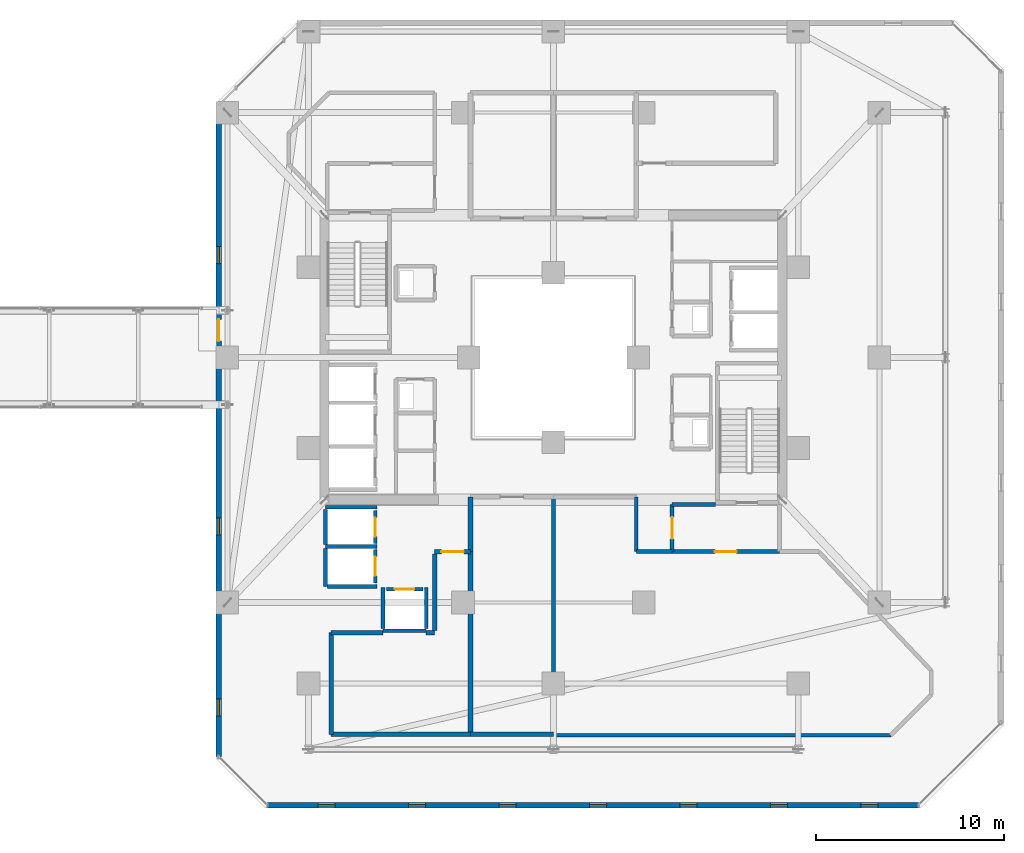
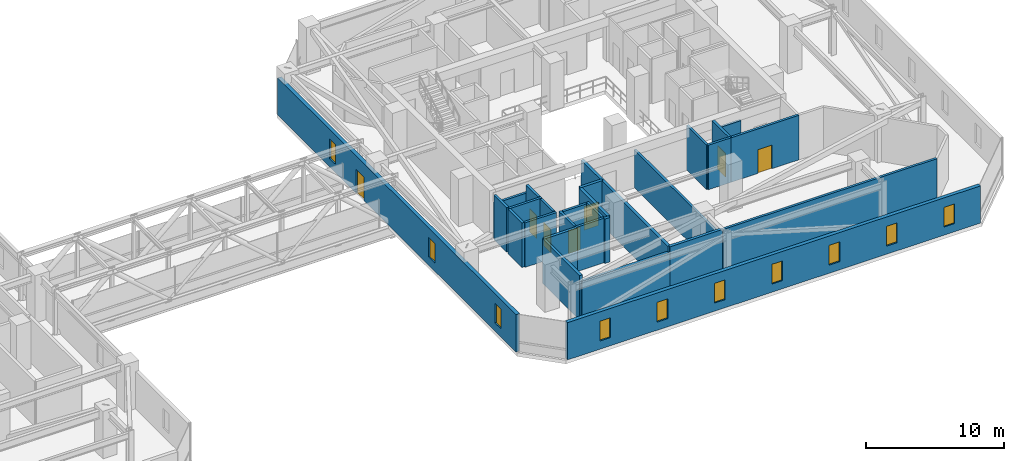
# One storey, part 39 of 45: 29 walls, 10 windows, 7 doors, 17 openings.
"""IFC4 building model written with IfcOpenShell, lengths in metres."""

import ifcopenshell
import ifcopenshell.guid

model = None  # the IFC model being written
_history = None  # IfcOwnerHistory: only IFC2X3 demands one
_inside = {}  # id of a spatial element -> (the spatial element, [elements in it])
_under = {}  # id of a project, library or spatial element -> (it, [spatial elements below it])
_declared = {}  # id of a project -> (the project, [libraries it declares])
_typed = {}  # id of a type object -> (the type object, [elements of that type])
_made_of = {}  # id of a material, layer set ... -> (it, [elements and type objects made of it])


def new_model(schema):
    """Start an empty IFC model of exactly this schema.

    Asked for "IFC4X3", IfcOpenShell would pick the latest addendum, in which some entities
    have other attributes; the version numbers below select the first issue.
    IFC2X3 requires an IfcOwnerHistory on every rooted entity: one is made here for all.
    """
    global model, _history
    if schema == "IFC4X3":
        model = ifcopenshell.file(schema_version=(4, 3, 0, 0))
    else:
        model = ifcopenshell.file(schema=schema)
    _inside.clear()
    _under.clear()
    _declared.clear()
    _typed.clear()
    _made_of.clear()
    _history = None
    if model.schema == "IFC2X3":
        org = make("IfcOrganization", Name="unknown")
        user = make(
            "IfcPersonAndOrganization",
            ThePerson=make("IfcPerson", FamilyName="unknown"),
            TheOrganization=org,
        )
        app = make(
            "IfcApplication",
            ApplicationDeveloper=org,
            Version="unknown",
            ApplicationFullName="unknown",
            ApplicationIdentifier="unknown",
        )
        _history = make(
            "IfcOwnerHistory",
            OwningUser=user,
            OwningApplication=app,
            ChangeAction="ADDED",
            CreationDate=0,
        )
    return model


def make(cls, **values):
    """One entity of the class cls with the attributes given. An attribute that is None is left unset."""
    return model.create_entity(
        cls, **{name: value for name, value in values.items() if value is not None}
    )


def rooted(cls, **values):
    """An entity with a GlobalId (a new one), such as an element, a storey or a relation."""
    return make(cls, GlobalId=ifcopenshell.guid.new(), OwnerHistory=_history, **values)


def si_unit(unit_type, name, prefix=None):
    """IfcSIUnit, for example si_unit("LENGTHUNIT", "METRE", prefix="MILLI")."""
    return make("IfcSIUnit", UnitType=unit_type, Prefix=prefix, Name=name)


def assignment(units):
    """IfcUnitAssignment: the units of a project."""
    return None if units is None else make("IfcUnitAssignment", Units=units)


def point(xyz):
    """IfcCartesianPoint."""
    return None if xyz is None else make("IfcCartesianPoint", Coordinates=xyz)


def direction(xyz):
    """IfcDirection."""
    return None if xyz is None else make("IfcDirection", DirectionRatios=xyz)


def frame(location, z_axis=None, x_axis=None):
    """IfcAxis2Placement3D, a coordinate frame: its origin and axes. An axis left out is left unset."""
    return make(
        "IfcAxis2Placement3D",
        Location=point(location),
        Axis=direction(z_axis),
        RefDirection=direction(x_axis),
    )


def frame_2d(location, x_axis=None):
    """IfcAxis2Placement2D, a coordinate frame in the plane: its origin and x axis."""
    return make(
        "IfcAxis2Placement2D", Location=point(location), RefDirection=direction(x_axis)
    )


def origin():
    """The frame at (0, 0, 0) with its axes left unset."""
    return frame((0.0, 0.0, 0.0))


def place(relative_to, where):
    """IfcLocalPlacement: puts the frame where relative to a parent placement (None: the world)."""
    return make(
        "IfcLocalPlacement", PlacementRelTo=relative_to, RelativePlacement=where
    )


def context(
    kind, dimensions, precision=None, world=None, true_north=None, identifier=None
):
    """IfcGeometricRepresentationContext, for example the 3D "Model" context."""
    return make(
        "IfcGeometricRepresentationContext",
        ContextIdentifier=identifier,
        ContextType=kind,
        CoordinateSpaceDimension=dimensions,
        Precision=precision,
        WorldCoordinateSystem=world,
        TrueNorth=true_north,
    )


def subcontext(parent, identifier, kind, view, scale=None):
    """IfcGeometricRepresentationSubContext, for example "Body" below "Model"."""
    return make(
        "IfcGeometricRepresentationSubContext",
        ContextIdentifier=identifier,
        ContextType=kind,
        ParentContext=parent,
        TargetScale=scale,
        TargetView=view,
    )


def project(units=None, contexts=None):
    """IfcProject with its units and contexts."""
    return rooted(
        "IfcProject",
        Name="project",
        RepresentationContexts=contexts,
        UnitsInContext=assignment(units),
    )


def spatial(cls, under=None, at=None, **own):
    """A site, building, storey or space (cls), placed at a placement, below another one or the project."""
    s = rooted(cls, ObjectPlacement=at, **own)
    if under is not None:
        _under.setdefault(under.id(), (under, []))[1].append(s)
    return s


def profile(cls, at=None, kind="AREA", **sizes):
    """A parametric profile (cls). Its sizes go by their IFC names, for example OverallWidth=200.0."""
    return make(cls, ProfileType=kind, Position=at, **sizes)


def rectangle(**sizes):
    """IfcRectangleProfileDef."""
    return profile("IfcRectangleProfileDef", **sizes)


def extrude(swept, where, along, depth):
    """IfcExtrudedAreaSolid: the profile swept, set in the frame where, extruded along a direction by depth."""
    return make(
        "IfcExtrudedAreaSolid",
        SweptArea=swept,
        Position=where,
        ExtrudedDirection=direction(along),
        Depth=depth,
    )


def shape(context_of_items, identifier, shape_type, items):
    """IfcShapeRepresentation: the items that make up one representation, for example the "Body"."""
    return make(
        "IfcShapeRepresentation",
        ContextOfItems=context_of_items,
        RepresentationIdentifier=identifier,
        RepresentationType=shape_type,
        Items=items,
    )


def material(Name=None, Category=None):
    """IfcMaterial."""
    return make("IfcMaterial", Name=Name, Category=Category)


def layer(
    of_material, thickness, ventilated=None, Name=None, Category=None, Priority=None
):
    """IfcMaterialLayer: one layer of a wall or slab, of a material (None: an air gap)."""
    return make(
        "IfcMaterialLayer",
        Material=of_material,
        LayerThickness=thickness,
        IsVentilated=ventilated,
        Name=Name,
        Category=Category,
        Priority=Priority,
    )


def layer_set(layers, Name=None):
    """IfcMaterialLayerSet."""
    return make("IfcMaterialLayerSet", MaterialLayers=layers, LayerSetName=Name)


def made_of(thing, what):
    """Note that an element or type object is made of a material, layer set ...; save() writes the relation."""
    if what is not None:
        _made_of.setdefault(what.id(), (what, []))[1].append(thing)
    return thing


def type_object(cls, material=None, **own):
    """A type object (cls), such as IfcWallType, which elements share."""
    return made_of(rooted(cls, **own), material)


def element(
    cls,
    number,
    at=None,
    inside=None,
    cuts=None,
    type_object=None,
    material=None,
    context=None,
    identifier="Body",
    shape_type=None,
    held_by="IfcProductDefinitionShape",
    body=None,
    shapes=None,
    **own,
):
    """One element of the class cls, such as IfcWall. Its Tag is "e" and its number.

    at: its placement. inside: the storey or other place that contains it. cuts: it is an
    opening in that element (IfcRelVoidsElement). A single representation is given by context,
    identifier, shape_type and body (its items); several are given by shapes. held_by: the class
    of the entity that holds the representations. save() writes the other relations.
    """
    e = rooted(cls, Tag="e%d" % number, ObjectPlacement=at, **own)
    if body is not None:
        shapes = [shape(context, identifier, shape_type, body)]
    if shapes is not None:
        e.Representation = make(held_by, Representations=shapes)
    if inside is not None:
        _inside.setdefault(inside.id(), (inside, []))[1].append(e)
    if cuts is not None:
        rooted(
            "IfcRelVoidsElement", RelatingBuildingElement=cuts, RelatedOpeningElement=e
        )
    if type_object is not None:
        _typed.setdefault(type_object.id(), (type_object, []))[1].append(e)
    return made_of(e, material)


def fill(opening, filler):
    """IfcRelFillsElement: the door or window that sits in an opening."""
    return rooted(
        "IfcRelFillsElement",
        RelatingOpeningElement=opening,
        RelatedBuildingElement=filler,
    )


def aggregate(whole, parts):
    """IfcRelAggregates: a whole, such as a stair, and the parts it consists of."""
    return rooted("IfcRelAggregates", RelatingObject=whole, RelatedObjects=parts)


def save(model, path):
    """Write the relations noted so far, then the file.

    IfcRelAggregates (storeys below a building ...), IfcRelContainedInSpatialStructure (elements
    in a storey), IfcRelDefinesByType, IfcRelAssociatesMaterial and IfcRelDeclares: one each for
    every whole, place, type object, material and project.
    """
    for whole, parts in _under.values():
        aggregate(whole, parts)
    for where, things in _inside.values():
        rooted(
            "IfcRelContainedInSpatialStructure",
            RelatedElements=things,
            RelatingStructure=where,
        )
    for kind, things in _typed.values():
        rooted("IfcRelDefinesByType", RelatedObjects=things, RelatingType=kind)
    for what, things in _made_of.values():
        rooted("IfcRelAssociatesMaterial", RelatedObjects=things, RelatingMaterial=what)
    for by, libraries in _declared.values():
        rooted("IfcRelDeclares", RelatingContext=by, RelatedDefinitions=libraries)
    model.write(path)


model = new_model("IFC4")

# Units and contexts
model_context = context("Model", 3, precision=1e-05, world=origin(), true_north=direction((0.0, 1.0)))
body_context = subcontext(model_context, "Body", "Model", "MODEL_VIEW")
ifc_project = project(units=[si_unit("LENGTHUNIT", "METRE"), si_unit("AREAUNIT", "SQUARE_METRE"), si_unit("VOLUMEUNIT", "CUBIC_METRE"), si_unit("PLANEANGLEUNIT", "RADIAN"), si_unit("MASSUNIT", "GRAM", prefix="KILO")], contexts=[model_context])

# Site, building, storey
site_placement = place(None, origin())
site = spatial("IfcSite", under=ifc_project, at=site_placement, CompositionType="ELEMENT")
building_placement = place(site_placement, origin())
building = spatial("IfcBuilding", under=site, at=building_placement, Name="Thornwick Lancets Civic Towers", CompositionType="ELEMENT")
storey_placement = place(building_placement, frame((0.0, 0.0, 141.300048828125)))
storey = spatial("IfcBuildingStorey", under=building, at=storey_placement, Name="L37", CompositionType="ELEMENT", Elevation=141.300048828125)

# Wall, opening, door
ifc_material_1 = material(Name="Concrete blockwork C40/50", Category="masonry")
ifc_layer_1 = layer(ifc_material_1, 0.199951171875, Name="Concrete blockwork C40/50")
ifc_layer_set_1 = layer_set([ifc_layer_1], Name="Concrete blockwork C40/50")
wall_type_1 = type_object("IfcWallType", Name="WALL_COMP_200", PredefinedType="STANDARD", material=ifc_layer_set_1)
wall_1_placement = place(storey_placement, frame((79.050048828125, 17.1298828125, 0.0), z_axis=(0.0, 0.0, 1.0), x_axis=(0.0, 1.0, 0.0)))
wall_1 = element("IfcWall", 1, at=wall_1_placement, inside=storey, type_object=wall_type_1, Name="L37 Hoistway Front Wall PL-BM1", PredefinedType="STANDARD", context=body_context, shape_type="SweptSolid", body=[
    extrude(rectangle(XDim=1.740234375, YDim=0.199951171875, at=frame_2d((0.8701171875, 0.0))), origin(), (0.0, 0.0, 1.0), 3.93994140625),
])
opening_1_placement = place(wall_1_placement, frame((0.360107421875, 0.0, 0.0)))
opening_1 = element("IfcOpeningElement", 2, at=opening_1_placement, cuts=wall_1, Name="Opening LD-PL-BM1", PredefinedType="OPENING", context=body_context, shape_type="SweptSolid", body=[
    extrude(rectangle(XDim=1.02001953125, YDim=2.06005859375, at=frame_2d((0.510009765625, 1.030029296875))), frame((0.0, 0.10986328125, 0.0), z_axis=(0.0, -1.0, 0.0), x_axis=(1.0, 0.0, 0.0)), (0.0, 0.0, 1.0), 0.219970703125),
])
ifc_material_2 = material(Name="Brushed bronze stainless steel", Category="steel")
door_type_1 = type_object("IfcDoorType", Name="DOOR_LIFT_SLIDE", OperationType="SLIDING_TO_LEFT", PredefinedType="DOOR", material=ifc_material_2)
door_1_placement = place(opening_1_placement, origin())
door_1 = element("IfcDoor", 3, at=door_1_placement, inside=storey, type_object=door_type_1, Name="L37 Sliding Lift Landing Door LD-PL-BM1", OperationType="SLIDING_TO_LEFT", OverallHeight=2.06005859375, OverallWidth=1.02001953125, PredefinedType="DOOR", context=body_context, shape_type="SweptSolid", body=[
    extrude(rectangle(XDim=1.02001953125, YDim=2.06005859375, at=frame_2d((0.510009765625, 1.030029296875))), frame((0.0, 0.02490234375, 0.0), z_axis=(0.0, -1.0, 0.0), x_axis=(1.0, 0.0, 0.0)), (0.0, 0.0, 1.0), 0.050048828125),
])
fill(opening_1, door_1)

wall_2_placement = place(storey_placement, frame((79.050048828125, 15.030029296875, 0.0), z_axis=(0.0, 0.0, 1.0), x_axis=(0.0, 1.0, 0.0)))
wall_2 = element("IfcWall", 4, at=wall_2_placement, inside=storey, type_object=wall_type_1, Name="L37 Hoistway Front Wall PL-BM2", PredefinedType="STANDARD", context=body_context, shape_type="SweptSolid", body=[
    extrude(rectangle(XDim=1.7900390625, YDim=0.199951171875, at=frame_2d((0.89501953125, 0.0))), origin(), (0.0, 0.0, 1.0), 3.93994140625),
])
opening_2_placement = place(wall_2_placement, frame((0.385009765625, 0.0, 0.0)))
opening_2 = element("IfcOpeningElement", 5, at=opening_2_placement, cuts=wall_2, Name="Opening LD-PL-BM2", PredefinedType="OPENING", context=body_context, shape_type="SweptSolid", body=[
    extrude(rectangle(XDim=1.02001953125, YDim=2.06005859375, at=frame_2d((0.510009765625, 1.030029296875))), frame((0.0, 0.10986328125, 0.0), z_axis=(0.0, -1.0, 0.0), x_axis=(1.0, 0.0, 0.0)), (0.0, 0.0, 1.0), 0.219970703125),
])
door_2_placement = place(opening_2_placement, origin())
door_2 = element("IfcDoor", 6, at=door_2_placement, inside=storey, type_object=door_type_1, Name="L37 Sliding Lift Landing Door LD-PL-BM2", OperationType="SLIDING_TO_LEFT", OverallHeight=2.06005859375, OverallWidth=1.02001953125, PredefinedType="DOOR", context=body_context, shape_type="SweptSolid", body=[
    extrude(rectangle(XDim=1.02001953125, YDim=2.06005859375, at=frame_2d((0.510009765625, 1.030029296875))), frame((0.0, 0.02490234375, 0.0), z_axis=(0.0, -1.0, 0.0), x_axis=(1.0, 0.0, 0.0)), (0.0, 0.0, 1.0), 0.050048828125),
])
fill(opening_2, door_2)

wall_3_placement = place(storey_placement, frame((79.6298828125, 14.699951171875, 0.0), z_axis=(0.0, 0.0, 1.0), x_axis=(1.0, 0.0, 0.0)))
wall_3 = element("IfcWall", 7, at=wall_3_placement, inside=storey, type_object=wall_type_1, Name="L37 Hoistway Front Wall PL-BM3", PredefinedType="STANDARD", context=body_context, shape_type="SweptSolid", body=[
    extrude(rectangle(XDim=1.940185546875, YDim=0.199951171875, at=frame_2d((0.97021484375, 0.0))), origin(), (0.0, 0.0, 1.0), 3.93994140625),
])
opening_3_placement = place(wall_3_placement, frame((0.4599609375, 0.0, 0.0)))
opening_3 = element("IfcOpeningElement", 8, at=opening_3_placement, cuts=wall_3, Name="Opening LD-PL-BM3", PredefinedType="OPENING", context=body_context, shape_type="SweptSolid", body=[
    extrude(rectangle(XDim=1.02001953125, YDim=2.06005859375, at=frame_2d((0.510009765625, 1.030029296875))), frame((0.0, 0.10986328125, 0.0), z_axis=(0.0, -1.0, 0.0), x_axis=(1.0, 0.0, 0.0)), (0.0, 0.0, 1.0), 0.219970703125),
])
door_3_placement = place(opening_3_placement, origin())
door_3 = element("IfcDoor", 9, at=door_3_placement, inside=storey, type_object=door_type_1, Name="L37 Sliding Lift Landing Door LD-PL-BM3", OperationType="SLIDING_TO_LEFT", OverallHeight=2.06005859375, OverallWidth=1.02001953125, PredefinedType="DOOR", context=body_context, shape_type="SweptSolid", body=[
    extrude(rectangle(XDim=1.02001953125, YDim=2.06005859375, at=frame_2d((0.510009765625, 1.030029296875))), frame((0.0, 0.02490234375, 0.0), z_axis=(0.0, -1.0, 0.0), x_axis=(1.0, 0.0, 0.0)), (0.0, 0.0, 1.0), 0.050048828125),
])
fill(opening_3, door_3)

# Walls
wall_4_placement = place(storey_placement, frame((76.402099609375, 19.050048828125, 0.0), z_axis=(0.0, 0.0, 1.0), x_axis=(1.0, 0.0, 0.0)))
element("IfcWall", 10, at=wall_4_placement, inside=storey, type_object=wall_type_1, Name="L37 Hoistway Shaft Wall PL-BM1 N", PredefinedType="STANDARD", context=body_context, shape_type="SweptSolid", body=[
    extrude(rectangle(XDim=2.745849609375, YDim=0.199951171875, at=frame_2d((1.373046875, 0.0))), origin(), (0.0, 0.0, 1.0), 3.14501953125),
])
wall_5_placement = place(storey_placement, frame((76.402099609375, 16.97509765625, 0.0), z_axis=(0.0, 0.0, 1.0), x_axis=(1.0, 0.0, 0.0)))
element("IfcWall", 11, at=wall_5_placement, inside=storey, type_object=wall_type_1, Name="L37 Hoistway Shaft Wall PL-BM1 S", PredefinedType="STANDARD", context=body_context, shape_type="SweptSolid", body=[
    extrude(rectangle(XDim=2.745849609375, YDim=0.199951171875, at=frame_2d((1.373046875, 0.0))), origin(), (0.0, 0.0, 1.0), 3.93994140625),
])
wall_6_placement = place(storey_placement, frame((76.39990234375, 14.85205078125, 0.0), z_axis=(0.0, 0.0, 1.0), x_axis=(0.0, 1.0, 0.0)))
element("IfcWall", 12, at=wall_6_placement, inside=storey, type_object=wall_type_1, Name="L37 Hoistway Shaft Wall PL-BM1 W", PredefinedType="STANDARD", context=body_context, shape_type="SweptSolid", body=[
    extrude(rectangle(XDim=2.015869140625, YDim=0.199951171875, at=frame_2d((1.0078125, 0.0))), origin(), (0.0, 0.0, 1.0), 3.93994140625),
])
wall_7_placement = place(storey_placement, frame((76.39990234375, 17.08203125, 0.0), z_axis=(0.0, 0.0, 1.0), x_axis=(0.0, 1.0, 0.0)))
element("IfcWall", 13, at=wall_7_placement, inside=storey, type_object=wall_type_1, Name="L37 Hoistway Shaft Wall PL-BM1 W", PredefinedType="STANDARD", context=body_context, shape_type="SweptSolid", body=[
    extrude(rectangle(XDim=1.85595703125, YDim=0.199951171875, at=frame_2d((0.927978515625, 0.0))), origin(), (0.0, 0.0, 1.0), 3.93994140625),
])
wall_8_placement = place(storey_placement, frame((76.511962890625, 14.85009765625, 0.0), z_axis=(0.0, 0.0, 1.0), x_axis=(1.0, 0.0, 0.0)))
element("IfcWall", 14, at=wall_8_placement, inside=storey, type_object=wall_type_1, Name="L37 Hoistway Shaft Wall PL-BM2 S", PredefinedType="STANDARD", context=body_context, shape_type="SweptSolid", body=[
    extrude(rectangle(XDim=2.635986328125, YDim=0.199951171875, at=frame_2d((1.31787109375, 0.0))), origin(), (0.0, 0.0, 1.0), 3.93994140625),
])
wall_9_placement = place(storey_placement, frame((79.451904296875, 12.5, 0.0), z_axis=(0.0, 0.0, 1.0), x_axis=(1.0, 0.0, 0.0)))
element("IfcWall", 15, at=wall_9_placement, inside=storey, type_object=wall_type_1, Name="L37 Hoistway Shaft Wall PL-BM3 S", PredefinedType="STANDARD", context=body_context, shape_type="SweptSolid", body=[
    extrude(rectangle(XDim=2.296142578125, YDim=0.199951171875, at=frame_2d((1.14794921875, 0.0))), origin(), (0.0, 0.0, 1.0), 3.93994140625),
])
for number, where, z_axis, x_axis, name in (
    (16, (81.75, 12.612060546875, 0.0), (0.0, 0.0, 1.0), (0.0, 1.0, 0.0), "L37 Hoistway Shaft Wall PL-BM3 E"),
    (17, (79.449951171875, 12.612060546875, 0.0), (0.0, 0.0, 1.0), (0.0, 1.0, 0.0), "L37 Hoistway Shaft Wall PL-BM3 W"),
):
    element("IfcWall", number, at=place(storey_placement, frame(where, z_axis=z_axis, x_axis=x_axis)), inside=storey, type_object=wall_type_1, Name=name, PredefinedType="STANDARD", context=body_context, shape_type="SweptSolid", body=[
        extrude(rectangle(XDim=2.18603515625, YDim=0.199951171875, at=frame_2d((1.093017578125, 0.0))), origin(), (0.0, 0.0, 1.0), 3.93994140625),
    ])

# Wall, opening, door
wall_10_placement = place(storey_placement, frame((94.800048828125, 16.699951171875, 0.0), z_axis=(0.0, 0.0, 1.0), x_axis=(1.0, 0.0, 0.0)))
wall_10 = element("IfcWall", 18, at=wall_10_placement, inside=storey, type_object=wall_type_1, Name="L37 Partition L37-B-FFLOB1 E1", PredefinedType="STANDARD", context=body_context, shape_type="SweptSolid", body=[
    extrude(rectangle(XDim=5.699951171875, YDim=0.199951171875, at=frame_2d((2.85009765625, 0.0))), origin(), (0.0, 0.0, 1.0), 3.93994140625),
])
opening_4_placement = place(wall_10_placement, frame((2.27490234375, 0.0, 0.0)))
opening_4 = element("IfcOpeningElement", 19, at=opening_4_placement, cuts=wall_10, Name="Opening D-L37-1698", PredefinedType="OPENING", context=body_context, shape_type="SweptSolid", body=[
    extrude(rectangle(XDim=1.14990234375, YDim=2.10009765625, at=frame_2d((0.574951171875, 1.050048828125))), frame((0.0, 0.10986328125, 0.0), z_axis=(0.0, -1.0, 0.0), x_axis=(1.0, 0.0, 0.0)), (0.0, 0.0, 1.0), 0.219970703125),
])
ifc_material_3 = material(Name="Glazed fire-resisting steel", Category="steel")
door_type_2 = type_object("IfcDoorType", Name="DOOR_LOBBY_FD60", OperationType="NOTDEFINED", PredefinedType="DOOR", material=ifc_material_3)
door_4_placement = place(opening_4_placement, origin())
door_4 = element("IfcDoor", 20, at=door_4_placement, inside=storey, type_object=door_type_2, Name="L37 Tower B Refuge Holding Area 1 Door", OperationType="SINGLE_SWING_LEFT", OverallHeight=2.10009765625, OverallWidth=1.14990234375, PredefinedType="DOOR", context=body_context, shape_type="SweptSolid", body=[
    extrude(rectangle(XDim=1.14990234375, YDim=2.10009765625, at=frame_2d((0.574951171875, 1.050048828125))), frame((0.0, 0.02490234375, 0.0), z_axis=(0.0, -1.0, 0.0), x_axis=(1.0, 0.0, 0.0)), (0.0, 0.0, 1.0), 0.050048828125),
])
fill(opening_4, door_4)

# Wall
wall_11_placement = place(storey_placement, frame((97.10009765625, 19.199951171875, 0.0), z_axis=(0.0, 0.0, 1.0), x_axis=(-1.0, 0.0, 0.0)))
element("IfcWall", 21, at=wall_11_placement, inside=storey, type_object=wall_type_1, Name="L37 Partition L37-B-FFLOB1 E3", PredefinedType="STANDARD", context=body_context, shape_type="SweptSolid", body=[
    extrude(rectangle(XDim=2.300048828125, YDim=0.199951171875, at=frame_2d((1.14990234375, 0.0))), origin(), (0.0, 0.0, 1.0), 3.14501953125),
])

# Wall, opening, door
wall_12_placement = place(storey_placement, frame((94.800048828125, 19.199951171875, 0.0), z_axis=(0.0, 0.0, 1.0), x_axis=(0.0, -1.0, 0.0)))
wall_12 = element("IfcWall", 22, at=wall_12_placement, inside=storey, type_object=wall_type_1, Name="L37 Partition L37-B-FFLOB1 E4", PredefinedType="STANDARD", context=body_context, shape_type="SweptSolid", body=[
    extrude(rectangle(XDim=2.5, YDim=0.199951171875, at=frame_2d((1.25, 0.0))), origin(), (0.0, 0.0, 1.0), 3.93994140625),
])
opening_5_placement = place(wall_12_placement, frame((0.675048828125, 0.0, 0.0)))
opening_5 = element("IfcOpeningElement", 23, at=opening_5_placement, cuts=wall_12, Name="Opening D-L37-1678", PredefinedType="OPENING", context=body_context, shape_type="SweptSolid", body=[
    extrude(rectangle(XDim=1.14990234375, YDim=2.10009765625, at=frame_2d((0.574951171875, 1.050048828125))), frame((0.0, 0.10986328125, 0.0), z_axis=(0.0, -1.0, 0.0), x_axis=(1.0, 0.0, 0.0)), (0.0, 0.0, 1.0), 0.219970703125),
])
door_5_placement = place(opening_5_placement, origin())
door_5 = element("IfcDoor", 24, at=door_5_placement, inside=storey, type_object=door_type_2, Name="L37 East Firefighting Lobby 1 Door", OperationType="SINGLE_SWING_LEFT", OverallHeight=2.10009765625, OverallWidth=1.14990234375, PredefinedType="DOOR", context=body_context, shape_type="SweptSolid", body=[
    extrude(rectangle(XDim=1.14990234375, YDim=2.10009765625, at=frame_2d((0.574951171875, 1.050048828125))), frame((0.0, 0.02490234375, 0.0), z_axis=(0.0, -1.0, 0.0), x_axis=(1.0, 0.0, 0.0)), (0.0, 0.0, 1.0), 0.050048828125),
])
fill(opening_5, door_5)

# Walls
wall_13_placement = place(storey_placement, frame((92.89990234375, 19.60009765625, 0.0), z_axis=(0.0, 0.0, 1.0), x_axis=(0.0, -1.0, 0.0)))
element("IfcWall", 25, at=wall_13_placement, inside=storey, type_object=wall_type_1, Name="L37 Partition L37-B-REF1 E1", PredefinedType="STANDARD", context=body_context, shape_type="SweptSolid", body=[
    extrude(rectangle(XDim=2.900146484375, YDim=0.199951171875, at=frame_2d((1.4501953125, 0.0))), origin(), (0.0, 0.0, 1.0), 3.93994140625),
])
wall_14_placement = place(storey_placement, frame((92.89990234375, 16.699951171875, 0.0), z_axis=(0.0, 0.0, 1.0), x_axis=(1.0, 0.0, 0.0)))
element("IfcWall", 26, at=wall_14_placement, inside=storey, type_object=wall_type_1, Name="L37 Partition L37-B-REF1 E2", PredefinedType="STANDARD", context=body_context, shape_type="SweptSolid", body=[
    extrude(rectangle(XDim=1.900146484375, YDim=0.199951171875, at=frame_2d((0.9501953125, 0.0))), origin(), (0.0, 0.0, 1.0), 3.93994140625),
])
wall_15_placement = place(storey_placement, frame((106.4052734375, 6.949951171875, 0.0), z_axis=(0.0, 0.0, 1.0), x_axis=(-1.0, 0.0, 0.0)))
element("IfcWall", 27, at=wall_15_placement, inside=storey, type_object=wall_type_1, Name="L37 Partition L37-B-REF1 E8", PredefinedType="STANDARD", context=body_context, shape_type="SweptSolid", body=[
    extrude(rectangle(XDim=17.9052734375, YDim=0.199951171875, at=frame_2d((8.95263671875, 0.0))), origin(), (0.0, 0.0, 1.0), 3.93994140625),
])
wall_16_placement = place(storey_placement, frame((88.5, 6.949951171875, 0.0), z_axis=(0.0, 0.0, 1.0), x_axis=(0.0, 1.0, 0.0)))
element("IfcWall", 28, at=wall_16_placement, inside=storey, type_object=wall_type_1, Name="L37 Partition L37-B-REF1 E9", PredefinedType="STANDARD", context=body_context, shape_type="SweptSolid", body=[
    extrude(rectangle(XDim=12.650146484375, YDim=0.199951171875, at=frame_2d((6.3251953125, 0.0))), origin(), (0.0, 0.0, 1.0), 3.32470703125),
])
ifc_layer_2 = layer(ifc_material_1, 0.239990234375, Name="Concrete blockwork C40/50")
ifc_layer_set_2 = layer_set([ifc_layer_2], Name="Concrete blockwork C40/50")
wall_type_2 = type_object("IfcWallType", Name="WALL_COMP_240", PredefinedType="STANDARD", material=ifc_layer_set_2)
wall_17_placement = place(storey_placement, frame((84.10009765625, 16.699951171875, 0.0), z_axis=(0.0, 0.0, 1.0), x_axis=(0.0, 1.0, 0.0)))
element("IfcWall", 29, at=wall_17_placement, inside=storey, type_object=wall_type_2, Name="L37 Partition L37-B-PL-AHU E1", PredefinedType="STANDARD", context=body_context, shape_type="SweptSolid", body=[
    extrude(rectangle(XDim=2.900146484375, YDim=0.239990234375, at=frame_2d((1.4501953125, 0.0))), origin(), (0.0, 0.0, 1.0), 3.93994140625),
])
wall_18_placement = place(storey_placement, frame((88.5, 7.0, 0.0), z_axis=(0.0, 0.0, 1.0), x_axis=(-1.0, 0.0, 0.0)))
element("IfcWall", 30, at=wall_18_placement, inside=storey, type_object=wall_type_2, Name="L37 Partition L37-B-PL-AHU E4", PredefinedType="STANDARD", context=body_context, shape_type="SweptSolid", body=[
    extrude(rectangle(XDim=4.39990234375, YDim=0.239990234375, at=frame_2d((2.199951171875, 0.0))), origin(), (0.0, 0.0, 1.0), 3.93994140625),
])
wall_19_placement = place(storey_placement, frame((84.10009765625, 7.0, 0.0), z_axis=(0.0, 0.0, 1.0), x_axis=(0.0, 1.0, 0.0)))
element("IfcWall", 31, at=wall_19_placement, inside=storey, type_object=wall_type_2, Name="L37 Partition L37-B-PL-AHU E5", PredefinedType="STANDARD", context=body_context, shape_type="SweptSolid", body=[
    extrude(rectangle(XDim=9.699951171875, YDim=0.239990234375, at=frame_2d((4.85009765625, 0.0))), origin(), (0.0, 0.0, 1.0), 3.93994140625),
])
wall_20_placement = place(storey_placement, frame((76.699951171875, 12.39990234375, 0.0), z_axis=(0.0, 0.0, 1.0), x_axis=(1.0, 0.0, 0.0)))
element("IfcWall", 32, at=wall_20_placement, inside=storey, type_object=wall_type_2, Name="L37 Partition L37-B-PL-ELC E1", PredefinedType="STANDARD", context=body_context, shape_type="SweptSolid", body=[
    extrude(rectangle(XDim=2.751953125, YDim=0.239990234375, at=frame_2d((1.3759765625, 0.0))), origin(), (0.0, 0.0, 1.0), 3.93994140625),
])
wall_21_placement = place(storey_placement, frame((81.748046875, 12.39990234375, 0.0), z_axis=(0.0, 0.0, 1.0), x_axis=(1.0, 0.0, 0.0)))
element("IfcWall", 33, at=wall_21_placement, inside=storey, type_object=wall_type_2, Name="L37 Partition L37-B-PL-ELC E1", PredefinedType="STANDARD", context=body_context, shape_type="SweptSolid", body=[
    extrude(rectangle(XDim=0.451904296875, YDim=0.239990234375, at=frame_2d((0.22607421875, 0.0))), origin(), (0.0, 0.0, 1.0), 3.93994140625),
])
wall_22_placement = place(storey_placement, frame((82.199951171875, 12.52001953125, 0.0), z_axis=(0.0, 0.0, 1.0), x_axis=(0.0, 1.0, 0.0)))
element("IfcWall", 34, at=wall_22_placement, inside=storey, type_object=wall_type_2, Name="L37 Partition L37-B-PL-ELC E2", PredefinedType="STANDARD", context=body_context, shape_type="SweptSolid", body=[
    extrude(rectangle(XDim=4.06005859375, YDim=0.239990234375, at=frame_2d((2.030029296875, 0.0))), origin(), (0.0, 0.0, 1.0), 3.93994140625),
])

# Wall, opening, door
wall_23_placement = place(storey_placement, frame((82.199951171875, 16.699951171875, 0.0), z_axis=(0.0, 0.0, 1.0), x_axis=(1.0, 0.0, 0.0)))
wall_23 = element("IfcWall", 35, at=wall_23_placement, inside=storey, type_object=wall_type_2, Name="L37 Partition L37-B-PL-ELC E3", PredefinedType="STANDARD", context=body_context, shape_type="SweptSolid", body=[
    extrude(rectangle(XDim=1.900146484375, YDim=0.239990234375, at=frame_2d((0.9501953125, 0.0))), origin(), (0.0, 0.0, 1.0), 3.93994140625),
])
opening_6_placement = place(wall_23_placement, frame((0.35009765625, 0.0, 0.0)))
opening_6 = element("IfcOpeningElement", 36, at=opening_6_placement, cuts=wall_23, Name="Opening D-L37-1702", PredefinedType="OPENING", context=body_context, shape_type="SweptSolid", body=[
    extrude(rectangle(XDim=1.199951171875, YDim=2.10009765625, at=frame_2d((0.60009765625, 1.050048828125))), frame((0.0, 0.1298828125, 0.0), z_axis=(0.0, -1.0, 0.0), x_axis=(1.0, 0.0, 0.0)), (0.0, 0.0, 1.0), 0.260009765625),
])
ifc_material_4 = material(Name="Steel plant room doorset", Category="steel")
door_type_3 = type_object("IfcDoorType", Name="DOOR_PLANT_1200", OperationType="NOTDEFINED", PredefinedType="DOOR", material=ifc_material_4)
door_6_placement = place(opening_6_placement, origin())
door_6 = element("IfcDoor", 37, at=door_6_placement, inside=storey, type_object=door_type_3, Name="L37 Tower B LV Switchgear Room Door", OperationType="SINGLE_SWING_LEFT", OverallHeight=2.10009765625, OverallWidth=1.199951171875, PredefinedType="DOOR", context=body_context, shape_type="SweptSolid", body=[
    extrude(rectangle(XDim=1.199951171875, YDim=2.10009765625, at=frame_2d((0.60009765625, 1.050048828125))), frame((0.0, 0.02490234375, 0.0), z_axis=(0.0, -1.0, 0.0), x_axis=(1.0, 0.0, 0.0)), (0.0, 0.0, 1.0), 0.050048828125),
])
fill(opening_6, door_6)

# Walls
wall_24_placement = place(storey_placement, frame((84.10009765625, 7.0, 0.0), z_axis=(0.0, 0.0, 1.0), x_axis=(-1.0, 0.0, 0.0)))
element("IfcWall", 38, at=wall_24_placement, inside=storey, type_object=wall_type_2, Name="L37 Partition L37-B-PL-ELC E5", PredefinedType="STANDARD", context=body_context, shape_type="SweptSolid", body=[
    extrude(rectangle(XDim=7.400146484375, YDim=0.239990234375, at=frame_2d((3.7001953125, 0.0))), origin(), (0.0, 0.0, 1.0), 3.445068359375),
])
wall_25_placement = place(storey_placement, frame((76.699951171875, 7.0, 0.0), z_axis=(0.0, 0.0, 1.0), x_axis=(0.0, 1.0, 0.0)))
element("IfcWall", 39, at=wall_25_placement, inside=storey, type_object=wall_type_2, Name="L37 Partition L37-B-PL-ELC E6", PredefinedType="STANDARD", context=body_context, shape_type="SweptSolid", body=[
    extrude(rectangle(XDim=5.39990234375, YDim=0.239990234375, at=frame_2d((2.699951171875, 0.0))), origin(), (0.0, 0.0, 1.0), 3.93994140625),
])

# Wall, openings, windows
ifc_material_5 = material(Name="Insulated russet terracotta rainscreen on concrete C40/50", Category="masonry")
ifc_layer_3 = layer(ifc_material_5, 0.300048828125, Name="Insulated russet terracotta rainscreen on concrete C40/50")
ifc_layer_set_3 = layer_set([ifc_layer_3], Name="Insulated russet terracotta rainscreen on concrete C40/50")
wall_type_3 = type_object("IfcWallType", Name="WALL_EXT_RUSSET_300", PredefinedType="STANDARD", material=ifc_layer_set_3)
wall_26_placement = place(storey_placement, frame((73.318603515625, 3.2353515625, 0.0), z_axis=(0.0, 0.0, 1.0), x_axis=(0.999999985636, 0.000169493917, 0.0)))
wall_26 = element("IfcWall", 40, at=wall_26_placement, inside=storey, type_object=wall_type_3, Name="L37 Tower B Terracotta Facade Wall E0", PredefinedType="STANDARD", context=body_context, shape_type="SweptSolid", body=[
    extrude(rectangle(XDim=34.56982421875, YDim=0.300048828125, at=frame_2d((17.284912109375, 0.0))), origin(), (0.0, 0.0, 1.0), 3.300048828125),
])
opening_7_placement = place(wall_26_placement, frame((2.699951171875, 0.0, 0.719970703125)))
opening_7 = element("IfcOpeningElement", 41, at=opening_7_placement, cuts=wall_26, Name="Opening WL-01", PredefinedType="OPENING", context=body_context, shape_type="SweptSolid", body=[
    extrude(rectangle(XDim=0.89990234375, YDim=1.75, at=frame_2d((0.449951171875, 0.875))), frame((0.0, 0.16015625, 0.0), z_axis=(0.0, -1.0, 0.0), x_axis=(1.0, 0.0, 0.0)), (0.0, 0.0, 1.0), 0.320068359375),
])
opening_8_placement = place(wall_26_placement, frame((7.5, 0.0, 0.719970703125)))
opening_8 = element("IfcOpeningElement", 42, at=opening_8_placement, cuts=wall_26, Name="Opening WL-01", PredefinedType="OPENING", context=body_context, shape_type="SweptSolid", body=[
    extrude(rectangle(XDim=0.89990234375, YDim=1.75, at=frame_2d((0.449951171875, 0.875))), frame((0.0, 0.16015625, 0.0), z_axis=(0.0, -1.0, 0.0), x_axis=(1.0, 0.0, 0.0)), (0.0, 0.0, 1.0), 0.320068359375),
])
opening_9_placement = place(wall_26_placement, frame((12.300048828125, 0.0, 0.719970703125)))
opening_9 = element("IfcOpeningElement", 43, at=opening_9_placement, cuts=wall_26, Name="Opening WL-01", PredefinedType="OPENING", context=body_context, shape_type="SweptSolid", body=[
    extrude(rectangle(XDim=0.89990234375, YDim=1.75, at=frame_2d((0.449951171875, 0.875))), frame((0.0, 0.16015625, 0.0), z_axis=(0.0, -1.0, 0.0), x_axis=(1.0, 0.0, 0.0)), (0.0, 0.0, 1.0), 0.320068359375),
])
opening_10_placement = place(wall_26_placement, frame((17.10009765625, 0.0, 0.719970703125)))
opening_10 = element("IfcOpeningElement", 44, at=opening_10_placement, cuts=wall_26, Name="Opening WL-01", PredefinedType="OPENING", context=body_context, shape_type="SweptSolid", body=[
    extrude(rectangle(XDim=0.89990234375, YDim=1.75, at=frame_2d((0.449951171875, 0.875))), frame((0.0, 0.16015625, 0.0), z_axis=(0.0, -1.0, 0.0), x_axis=(1.0, 0.0, 0.0)), (0.0, 0.0, 1.0), 0.320068359375),
])
opening_11_placement = place(wall_26_placement, frame((21.89990234375, 0.0, 0.719970703125)))
opening_11 = element("IfcOpeningElement", 45, at=opening_11_placement, cuts=wall_26, Name="Opening WL-01", PredefinedType="OPENING", context=body_context, shape_type="SweptSolid", body=[
    extrude(rectangle(XDim=0.89990234375, YDim=1.75, at=frame_2d((0.449951171875, 0.875))), frame((0.0, 0.16015625, 0.0), z_axis=(0.0, -1.0, 0.0), x_axis=(1.0, 0.0, 0.0)), (0.0, 0.0, 1.0), 0.320068359375),
])
opening_12_placement = place(wall_26_placement, frame((26.699951171875, 0.0, 0.719970703125)))
opening_12 = element("IfcOpeningElement", 46, at=opening_12_placement, cuts=wall_26, Name="Opening WL-01", PredefinedType="OPENING", context=body_context, shape_type="SweptSolid", body=[
    extrude(rectangle(XDim=0.89990234375, YDim=1.75, at=frame_2d((0.449951171875, 0.875))), frame((0.0, 0.16015625, 0.0), z_axis=(0.0, -1.0, 0.0), x_axis=(1.0, 0.0, 0.0)), (0.0, 0.0, 1.0), 0.320068359375),
])
opening_13_placement = place(wall_26_placement, frame((31.5, 0.0, 0.719970703125)))
opening_13 = element("IfcOpeningElement", 47, at=opening_13_placement, cuts=wall_26, Name="Opening WL-01", PredefinedType="OPENING", context=body_context, shape_type="SweptSolid", body=[
    extrude(rectangle(XDim=0.89990234375, YDim=1.75, at=frame_2d((0.449951171875, 0.875))), frame((0.0, 0.16015625, 0.0), z_axis=(0.0, -1.0, 0.0), x_axis=(1.0, 0.0, 0.0)), (0.0, 0.0, 1.0), 0.320068359375),
])
ifc_material_6 = material(Name="Clear low-e double glazing in bronze frame", Category="glass")
window_type = type_object("IfcWindowType", Name="WIN_LANCET_900", PartitioningType="SINGLE_PANEL", PredefinedType="WINDOW", material=ifc_material_6)
window_1_placement = place(opening_7_placement, origin())
window_1 = element("IfcWindow", 48, at=window_1_placement, inside=storey, type_object=window_type, Name="L37 Tower B Staggered Lancet Window E0-1", OverallHeight=1.75, OverallWidth=0.89990234375, PartitioningType="SINGLE_PANEL", PredefinedType="WINDOW", context=body_context, shape_type="SweptSolid", body=[
    extrude(rectangle(XDim=0.89990234375, YDim=1.75, at=frame_2d((0.449951171875, 0.875))), frame((0.0, 0.030029296875, 0.0), z_axis=(0.0, -1.0, 0.0), x_axis=(1.0, 0.0, 0.0)), (0.0, 0.0, 1.0), 0.06005859375),
])
fill(opening_7, window_1)
window_2_placement = place(opening_8_placement, origin())
window_2 = element("IfcWindow", 49, at=window_2_placement, inside=storey, type_object=window_type, Name="L37 Tower B Staggered Lancet Window E0-2", OverallHeight=1.75, OverallWidth=0.89990234375, PartitioningType="SINGLE_PANEL", PredefinedType="WINDOW", context=body_context, shape_type="SweptSolid", body=[
    extrude(rectangle(XDim=0.89990234375, YDim=1.75, at=frame_2d((0.449951171875, 0.875))), frame((0.0, 0.030029296875, 0.0), z_axis=(0.0, -1.0, 0.0), x_axis=(1.0, 0.0, 0.0)), (0.0, 0.0, 1.0), 0.06005859375),
])
fill(opening_8, window_2)
window_3_placement = place(opening_9_placement, origin())
window_3 = element("IfcWindow", 50, at=window_3_placement, inside=storey, type_object=window_type, Name="L37 Tower B Staggered Lancet Window E0-3", OverallHeight=1.75, OverallWidth=0.89990234375, PartitioningType="SINGLE_PANEL", PredefinedType="WINDOW", context=body_context, shape_type="SweptSolid", body=[
    extrude(rectangle(XDim=0.89990234375, YDim=1.75, at=frame_2d((0.449951171875, 0.875))), frame((0.0, 0.030029296875, 0.0), z_axis=(0.0, -1.0, 0.0), x_axis=(1.0, 0.0, 0.0)), (0.0, 0.0, 1.0), 0.06005859375),
])
fill(opening_9, window_3)
window_4_placement = place(opening_10_placement, origin())
window_4 = element("IfcWindow", 51, at=window_4_placement, inside=storey, type_object=window_type, Name="L37 Tower B Staggered Lancet Window E0-4", OverallHeight=1.75, OverallWidth=0.89990234375, PartitioningType="SINGLE_PANEL", PredefinedType="WINDOW", context=body_context, shape_type="SweptSolid", body=[
    extrude(rectangle(XDim=0.89990234375, YDim=1.75, at=frame_2d((0.449951171875, 0.875))), frame((0.0, 0.030029296875, 0.0), z_axis=(0.0, -1.0, 0.0), x_axis=(1.0, 0.0, 0.0)), (0.0, 0.0, 1.0), 0.06005859375),
])
fill(opening_10, window_4)
window_5_placement = place(opening_11_placement, origin())
window_5 = element("IfcWindow", 52, at=window_5_placement, inside=storey, type_object=window_type, Name="L37 Tower B Staggered Lancet Window E0-5", OverallHeight=1.75, OverallWidth=0.89990234375, PartitioningType="SINGLE_PANEL", PredefinedType="WINDOW", context=body_context, shape_type="SweptSolid", body=[
    extrude(rectangle(XDim=0.89990234375, YDim=1.75, at=frame_2d((0.449951171875, 0.875))), frame((0.0, 0.030029296875, 0.0), z_axis=(0.0, -1.0, 0.0), x_axis=(1.0, 0.0, 0.0)), (0.0, 0.0, 1.0), 0.06005859375),
])
fill(opening_11, window_5)
window_6_placement = place(opening_12_placement, origin())
window_6 = element("IfcWindow", 53, at=window_6_placement, inside=storey, type_object=window_type, Name="L37 Tower B Staggered Lancet Window E0-6", OverallHeight=1.75, OverallWidth=0.89990234375, PartitioningType="SINGLE_PANEL", PredefinedType="WINDOW", context=body_context, shape_type="SweptSolid", body=[
    extrude(rectangle(XDim=0.89990234375, YDim=1.75, at=frame_2d((0.449951171875, 0.875))), frame((0.0, 0.030029296875, 0.0), z_axis=(0.0, -1.0, 0.0), x_axis=(1.0, 0.0, 0.0)), (0.0, 0.0, 1.0), 0.06005859375),
])
fill(opening_12, window_6)
window_7_placement = place(opening_13_placement, origin())
window_7 = element("IfcWindow", 54, at=window_7_placement, inside=storey, type_object=window_type, Name="L37 Tower B Staggered Lancet Window E0-7", OverallHeight=1.75, OverallWidth=0.89990234375, PartitioningType="SINGLE_PANEL", PredefinedType="WINDOW", context=body_context, shape_type="SweptSolid", body=[
    extrude(rectangle(XDim=0.89990234375, YDim=1.75, at=frame_2d((0.449951171875, 0.875))), frame((0.0, 0.030029296875, 0.0), z_axis=(0.0, -1.0, 0.0), x_axis=(1.0, 0.0, 0.0)), (0.0, 0.0, 1.0), 0.06005859375),
])
fill(opening_13, window_7)

# Wall, openings, door, windows
wall_27_placement = place(storey_placement, frame((70.7412109375, 40.388427734375, 0.0), z_axis=(0.0, 0.0, 1.0), x_axis=(-0.000169493917, -0.999999985636, 0.0)))
wall_27 = element("IfcWall", 55, at=wall_27_placement, inside=storey, type_object=wall_type_3, Name="L37 Tower B Terracotta Facade Wall E6", PredefinedType="STANDARD", context=body_context, shape_type="SweptSolid", body=[
    extrude(rectangle(XDim=34.56982421875, YDim=0.300048828125, at=frame_2d((17.284912109375, 0.0))), origin(), (0.0, 0.0, 1.0), 3.300048828125),
])
opening_14_placement = place(wall_27_placement, frame((11.363525390625, 0.0, 0.0)))
opening_14 = element("IfcOpeningElement", 56, at=opening_14_placement, cuts=wall_27, Name="Opening D-BRG-L37-B", PredefinedType="OPENING", context=body_context, shape_type="SweptSolid", body=[
    extrude(rectangle(XDim=1.14990234375, YDim=2.10009765625, at=frame_2d((0.574951171875, 1.050048828125))), frame((0.0, 0.16015625, 0.0), z_axis=(0.0, -1.0, 0.0), x_axis=(1.0, 0.0, 0.0)), (0.0, 0.0, 1.0), 0.320068359375),
])
opening_15_placement = place(wall_27_placement, frame((7.5, 0.0, 0.719970703125)))
opening_15 = element("IfcOpeningElement", 57, at=opening_15_placement, cuts=wall_27, Name="Opening WL-01", PredefinedType="OPENING", context=body_context, shape_type="SweptSolid", body=[
    extrude(rectangle(XDim=0.89990234375, YDim=1.75, at=frame_2d((0.449951171875, 0.875))), frame((0.0, 0.16015625, 0.0), z_axis=(0.0, -1.0, 0.0), x_axis=(1.0, 0.0, 0.0)), (0.0, 0.0, 1.0), 0.320068359375),
])
opening_16_placement = place(wall_27_placement, frame((21.89990234375, 0.0, 0.719970703125)))
opening_16 = element("IfcOpeningElement", 58, at=opening_16_placement, cuts=wall_27, Name="Opening WL-01", PredefinedType="OPENING", context=body_context, shape_type="SweptSolid", body=[
    extrude(rectangle(XDim=0.89990234375, YDim=1.75, at=frame_2d((0.449951171875, 0.875))), frame((0.0, 0.16015625, 0.0), z_axis=(0.0, -1.0, 0.0), x_axis=(1.0, 0.0, 0.0)), (0.0, 0.0, 1.0), 0.320068359375),
])
opening_17_placement = place(wall_27_placement, frame((31.5, 0.0, 0.719970703125)))
opening_17 = element("IfcOpeningElement", 59, at=opening_17_placement, cuts=wall_27, Name="Opening WL-01", PredefinedType="OPENING", context=body_context, shape_type="SweptSolid", body=[
    extrude(rectangle(XDim=0.89990234375, YDim=1.75, at=frame_2d((0.449951171875, 0.875))), frame((0.0, 0.16015625, 0.0), z_axis=(0.0, -1.0, 0.0), x_axis=(1.0, 0.0, 0.0)), (0.0, 0.0, 1.0), 0.320068359375),
])
ifc_material_7 = material(Name="Fire-resisting steel doorset", Category="steel")
door_type_4 = type_object("IfcDoorType", Name="DOOR_BRIDGE_FD120", OperationType="DOUBLE_DOOR_SINGLE_SWING", PredefinedType="DOOR", material=ifc_material_7)
door_7_placement = place(opening_14_placement, origin())
door_7 = element("IfcDoor", 60, at=door_7_placement, inside=storey, type_object=door_type_4, Name="L37 Tower B Skybridge Escape Fire Door", OperationType="DOUBLE_DOOR_SINGLE_SWING", OverallHeight=2.10009765625, OverallWidth=1.14990234375, PredefinedType="DOOR", context=body_context, shape_type="SweptSolid", body=[
    extrude(rectangle(XDim=1.14990234375, YDim=2.10009765625, at=frame_2d((0.574951171875, 1.050048828125))), frame((0.0, 0.02490234375, 0.0), z_axis=(0.0, -1.0, 0.0), x_axis=(1.0, 0.0, 0.0)), (0.0, 0.0, 1.0), 0.050048828125),
])
fill(opening_14, door_7)
window_8_placement = place(opening_15_placement, origin())
window_8 = element("IfcWindow", 61, at=window_8_placement, inside=storey, type_object=window_type, Name="L37 Tower B Staggered Lancet Window E6-1", OverallHeight=1.75, OverallWidth=0.89990234375, PartitioningType="SINGLE_PANEL", PredefinedType="WINDOW", context=body_context, shape_type="SweptSolid", body=[
    extrude(rectangle(XDim=0.89990234375, YDim=1.75, at=frame_2d((0.449951171875, 0.875))), frame((0.0, 0.030029296875, 0.0), z_axis=(0.0, -1.0, 0.0), x_axis=(1.0, 0.0, 0.0)), (0.0, 0.0, 1.0), 0.06005859375),
])
fill(opening_15, window_8)
window_9_placement = place(opening_16_placement, origin())
window_9 = element("IfcWindow", 62, at=window_9_placement, inside=storey, type_object=window_type, Name="L37 Tower B Staggered Lancet Window E6-2", OverallHeight=1.75, OverallWidth=0.89990234375, PartitioningType="SINGLE_PANEL", PredefinedType="WINDOW", context=body_context, shape_type="SweptSolid", body=[
    extrude(rectangle(XDim=0.89990234375, YDim=1.75, at=frame_2d((0.449951171875, 0.875))), frame((0.0, 0.030029296875, 0.0), z_axis=(0.0, -1.0, 0.0), x_axis=(1.0, 0.0, 0.0)), (0.0, 0.0, 1.0), 0.06005859375),
])
fill(opening_16, window_9)
window_10_placement = place(opening_17_placement, origin())
window_10 = element("IfcWindow", 63, at=window_10_placement, inside=storey, type_object=window_type, Name="L37 Tower B Staggered Lancet Window E6-3", OverallHeight=1.75, OverallWidth=0.89990234375, PartitioningType="SINGLE_PANEL", PredefinedType="WINDOW", context=body_context, shape_type="SweptSolid", body=[
    extrude(rectangle(XDim=0.89990234375, YDim=1.75, at=frame_2d((0.449951171875, 0.875))), frame((0.0, 0.030029296875, 0.0), z_axis=(0.0, -1.0, 0.0), x_axis=(1.0, 0.0, 0.0)), (0.0, 0.0, 1.0), 0.06005859375),
])
fill(opening_17, window_10)

save(model, "model.ifc")
